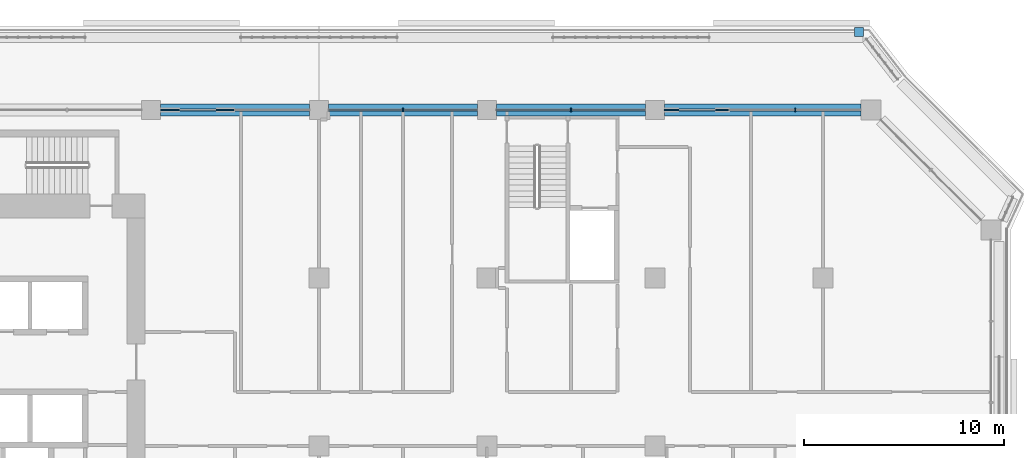
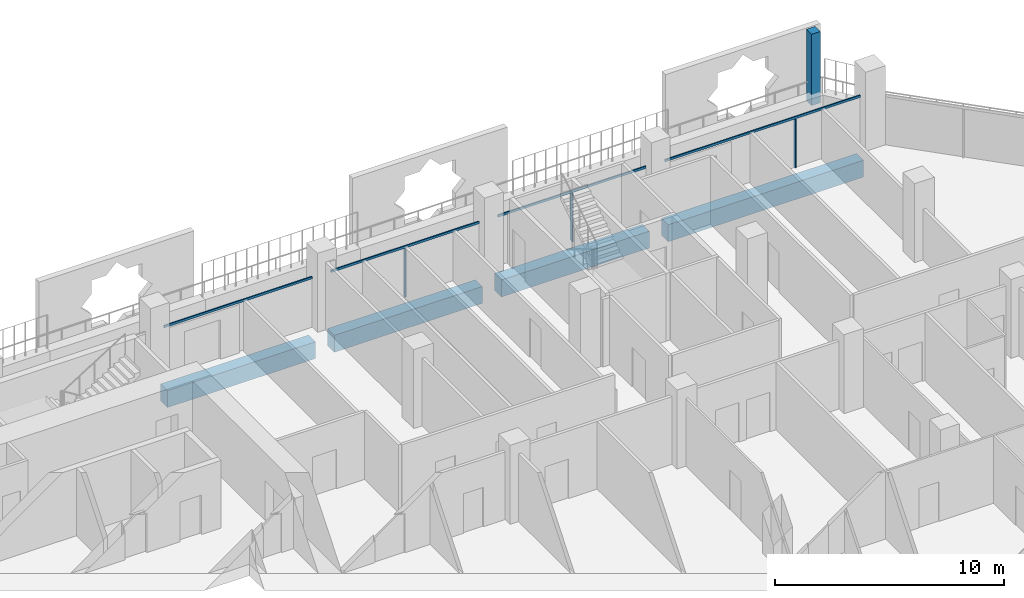
# One storey, part 6 of 22: 8 members, 4 beams, 2 elements without a shape of their own.
"""IFC4 building model written with IfcOpenShell, lengths in metres."""

from ifc_helpers import new_model, si_unit, direction, frame, origin, origin_2d, place, context, subcontext, project, spatial, rectangle, extrude, material, layer, layer_set, material_profile, profile_set, type_object, element, aggregate, save


model = new_model("IFC4")

# Units and contexts
model_context = context("Model", 3, precision=1e-05, world=origin(), true_north=direction((0.0, 1.0)))
body_context = subcontext(model_context, "Body", "Model", "MODEL_VIEW")
ifc_project = project(units=[si_unit("LENGTHUNIT", "METRE"), si_unit("AREAUNIT", "SQUARE_METRE"), si_unit("VOLUMEUNIT", "CUBIC_METRE"), si_unit("PLANEANGLEUNIT", "RADIAN"), si_unit("MASSUNIT", "GRAM", prefix="KILO")], contexts=[model_context])

# Site, building, storey
site_placement = place(None, origin())
site = spatial("IfcSite", under=ifc_project, at=site_placement, CompositionType="ELEMENT")
building_placement = place(site_placement, origin())
building = spatial("IfcBuilding", under=site, at=building_placement, Name="Kawkab Arch Medical Tower", CompositionType="ELEMENT")
storey_placement = place(building_placement, frame((0.0, 0.0, 183.60009765625)))
storey = spatial("IfcBuildingStorey", under=building, at=storey_placement, Name="L42", CompositionType="ELEMENT", Elevation=183.60009765625)

# Curtain wall, members
ifc_material_1 = material(Name="Bronze anodised aluminium curtain wall frame", Category="aluminium")
ifc_layer_1 = layer(ifc_material_1, 0.159912109375)
ifc_layer_set_1 = layer_set([ifc_layer_1], Name="Bronze anodised aluminium curtain wall frame")
curtain_wall_type_1 = type_object("IfcCurtainWallType", Name="CW1 ward curtain wall", PredefinedType="NOTDEFINED", material=ifc_layer_set_1)
placement = place(storey_placement, origin())
curtain_wall_1 = element("IfcCurtainWall", 1, at=placement, inside=storey, type_object=curtain_wall_type_1, Name="CW1 Ward curtain wall R11", PredefinedType="NOTDEFINED")
ifc_material_2 = material(Name="Bronze anodised aluminium curtain wall frame", Category="aluminium")
ifc_material_profile_1 = material_profile(ifc_material_2, rectangle(XDim=0.179931640625, YDim=0.06005859375, at=origin_2d()), Name="AL 60x180")
ifc_profile_set_1 = profile_set([ifc_material_profile_1], Name="Bronze anodised aluminium curtain wall frame")
member_type_1 = type_object("IfcMemberType", Name="CW1 mullion 60 x 180", PredefinedType="MULLION", material=ifc_profile_set_1)
member_1_placement = place(storey_placement, frame((57.425048828125, 0.0, 0.0), z_axis=(0.0, 0.0, 1.0), x_axis=(0.0, -1.0, 0.0)))
member_1 = element("IfcMember", 2, at=member_1_placement, type_object=member_type_1, Name="CW1 mullion 1.1", PredefinedType="MULLION", context=body_context, shape_type="SweptSolid", body=[
    extrude(rectangle(XDim=0.179931640625, YDim=0.06005859375, at=origin_2d()), origin(), (0.0, 0.0, 1.0), 2.579833984375),
])
member_2_placement = place(storey_placement, frame((46.199951171875, 0.0, 0.0), z_axis=(0.0, 0.0, 1.0), x_axis=(0.0, -1.0, 0.0)))
member_2 = element("IfcMember", 3, at=member_2_placement, type_object=member_type_1, Name="CW1 mullion 2.1", PredefinedType="MULLION", context=body_context, shape_type="SweptSolid", body=[
    extrude(rectangle(XDim=0.179931640625, YDim=0.06005859375, at=origin_2d()), origin(), (0.0, 0.0, 1.0), 2.579833984375),
])
member_3_placement = place(storey_placement, frame((37.800048828125, 0.0, 0.0), z_axis=(0.0, 0.0, 1.0), x_axis=(0.0, -1.0, 0.0)))
member_3 = element("IfcMember", 4, at=member_3_placement, type_object=member_type_1, Name="CW1 mullion 3.1", PredefinedType="MULLION", context=body_context, shape_type="SweptSolid", body=[
    extrude(rectangle(XDim=0.179931640625, YDim=0.06005859375, at=origin_2d()), origin(), (0.0, 0.0, 1.0), 2.579833984375),
])
ifc_material_3 = material(Name="Bronze anodised aluminium curtain wall frame", Category="aluminium")
ifc_material_profile_2 = material_profile(ifc_material_3, rectangle(XDim=0.06005859375, YDim=0.1201171875, at=origin_2d()), Name="AL 60x120")
ifc_profile_set_2 = profile_set([ifc_material_profile_2], Name="Bronze anodised aluminium curtain wall frame")
member_type_2 = type_object("IfcMemberType", Name="CW1 transom 120 x 60", PredefinedType="USERDEFINED", material=ifc_profile_set_2)
member_4_placement = place(storey_placement, frame((60.699951171875, 0.0, 2.639892578125), z_axis=(-1.0, 0.0, 0.0), x_axis=(0.0, -1.0, 0.0)))
member_4 = element("IfcMember", 5, at=member_4_placement, type_object=member_type_2, Name="CW1 transom 1", ObjectType="TRANSOM", PredefinedType="USERDEFINED", context=body_context, shape_type="SweptSolid", body=[
    extrude(rectangle(XDim=0.06005859375, YDim=0.1201171875, at=origin_2d()), origin(), (0.0, 0.0, 1.0), 9.824951171875),
])
member_5_placement = place(storey_placement, frame((49.925048828125, 0.0, 2.639892578125), z_axis=(-1.0, 0.0, 0.0), x_axis=(0.0, -1.0, 0.0)))
member_5 = element("IfcMember", 6, at=member_5_placement, type_object=member_type_2, Name="CW1 transom 2", ObjectType="TRANSOM", PredefinedType="USERDEFINED", context=body_context, shape_type="SweptSolid", body=[
    extrude(rectangle(XDim=0.06005859375, YDim=0.1201171875, at=origin_2d()), origin(), (0.0, 0.0, 1.0), 7.449951171875),
])
member_6_placement = place(storey_placement, frame((41.52490234375, 0.0, 2.639892578125), z_axis=(-1.0, 0.0, 0.0), x_axis=(0.0, -1.0, 0.0)))
member_6 = element("IfcMember", 7, at=member_6_placement, type_object=member_type_2, Name="CW1 transom 3", ObjectType="TRANSOM", PredefinedType="USERDEFINED", context=body_context, shape_type="SweptSolid", body=[
    extrude(rectangle(XDim=0.06005859375, YDim=0.1201171875, at=origin_2d()), origin(), (0.0, 0.0, 1.0), 7.449951171875),
])
member_7_placement = place(storey_placement, frame((33.125, 0.0, 2.639892578125), z_axis=(-1.0, 0.0, 0.0), x_axis=(0.0, -1.0, 0.0)))
member_7 = element("IfcMember", 8, at=member_7_placement, type_object=member_type_2, Name="CW1 transom 4", ObjectType="TRANSOM", PredefinedType="USERDEFINED", context=body_context, shape_type="SweptSolid", body=[
    extrude(rectangle(XDim=0.06005859375, YDim=0.1201171875, at=origin_2d()), origin(), (0.0, 0.0, 1.0), 7.449951171875),
])
aggregate(curtain_wall_1, [member_4, member_1, member_5, member_2, member_6, member_3, member_7])

# Curtain wall, member
ifc_material_4 = material(Name="Bronze anodised aluminium climber frame, planted", Category="aluminium")
ifc_layer_2 = layer(ifc_material_4, 0.449951171875)
ifc_layer_set_2 = layer_set([ifc_layer_2], Name="Bronze anodised aluminium climber frame, planted")
curtain_wall_type_2 = type_object("IfcCurtainWallType", Name="Planted climber frame", PredefinedType="NOTDEFINED", material=ifc_layer_set_2)
curtain_wall_2 = element("IfcCurtainWall", 9, at=placement, inside=storey, type_object=curtain_wall_type_2, Name="Planted climber frame L42", PredefinedType="NOTDEFINED")
ifc_material_5 = material(Name="Bronze anodised aluminium climber frame, planted", Category="aluminium")
ifc_material_profile_3 = material_profile(ifc_material_5, rectangle(XDim=0.449951171875, YDim=0.449951171875, at=origin_2d()), Name="Post 450x450")
ifc_profile_set_3 = profile_set([ifc_material_profile_3], Name="Bronze anodised aluminium climber frame, planted")
member_type_3 = type_object("IfcMemberType", Name="Planted climber post 450 x 450", PredefinedType="MULLION", material=ifc_profile_set_3)
member_8_placement = place(storey_placement, frame((60.60302734375, 3.89990234375, 0.0), z_axis=(0.0, 0.0, 1.0), x_axis=(1.0, 0.0, 0.0)))
member_8 = element("IfcMember", 10, at=member_8_placement, type_object=member_type_3, Name="Planted climber post L42.LOG-01-01.2", PredefinedType="MULLION", context=body_context, shape_type="SweptSolid", body=[
    extrude(rectangle(XDim=0.449951171875, YDim=0.449951171875, at=origin_2d()), origin(), (0.0, 0.0, 1.0), 3.7998046875),
])
aggregate(curtain_wall_2, [member_8])

# Beams
ifc_material_6 = material(Name="Concrete C50/60", Category="concrete")
ifc_material_profile_4 = material_profile(ifc_material_6, rectangle(XDim=0.60009765625, YDim=0.89990234375, at=origin_2d()), Name="RC 600x900")
ifc_profile_set_4 = profile_set([ifc_material_profile_4], Name="Concrete C50/60")
beam_type = type_object("IfcBeamType", Name="RC 600x900 beam C50/60", PredefinedType="BEAM", material=ifc_profile_set_4)
for number, where, z_axis, x_axis, name in (
    (11, (25.675048828125, 0.0, -1.050048828125), (1.0, 0.0, 0.0), (0.0, 1.0, 0.0), "Overhang edge beam L42-04"),
    (12, (34.074951171875, 0.0, -1.050048828125), (1.0, 0.0, 0.0), (0.0, 1.0, 0.0), "Overhang edge beam L42-05"),
    (13, (42.47509765625, 0.0, -1.050048828125), (1.0, 0.0, 0.0), (0.0, 1.0, 0.0), "Overhang edge beam L42-06"),
):
    element("IfcBeam", number, at=place(storey_placement, frame(where, z_axis=z_axis, x_axis=x_axis)), inside=storey, type_object=beam_type, Name=name, PredefinedType="BEAM", context=body_context, shape_type="SweptSolid", body=[
        extrude(rectangle(XDim=0.60009765625, YDim=0.89990234375, at=origin_2d()), origin(), (0.0, 0.0, 1.0), 7.449951171875),
    ])
beam_placement = place(storey_placement, frame((50.875, 0.0, -1.050048828125), z_axis=(1.0, 0.0, 0.0), x_axis=(0.0, 1.0, 0.0)))
element("IfcBeam", 14, at=beam_placement, inside=storey, type_object=beam_type, Name="Overhang edge beam L42-07", PredefinedType="BEAM", context=body_context, shape_type="SweptSolid", body=[
    extrude(rectangle(XDim=0.60009765625, YDim=0.89990234375, at=origin_2d()), origin(), (0.0, 0.0, 1.0), 9.824951171875),
])

save(model, "model.ifc")
